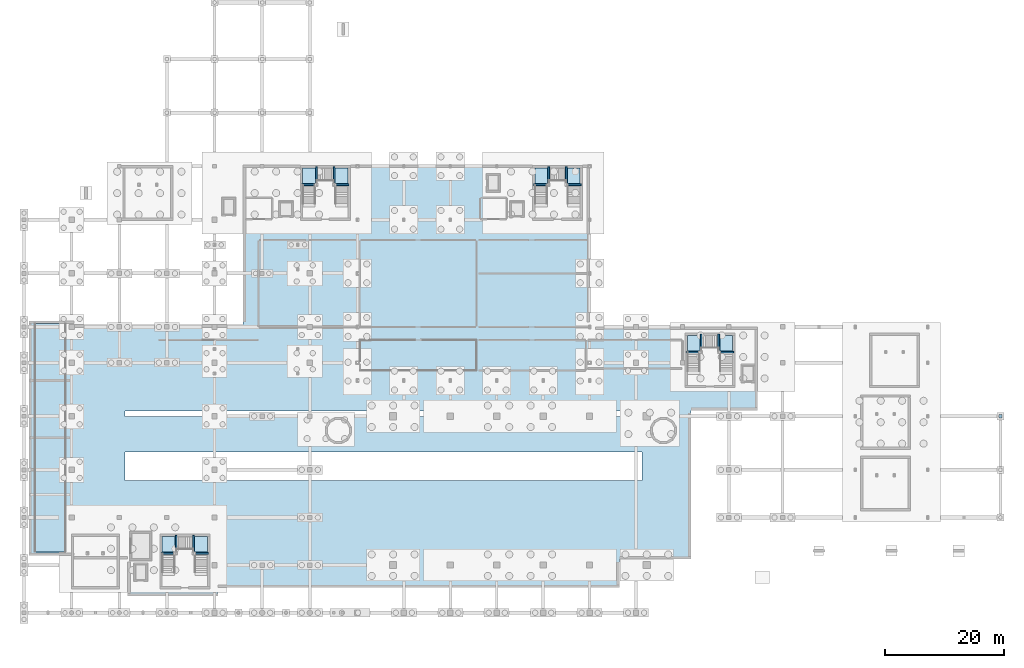
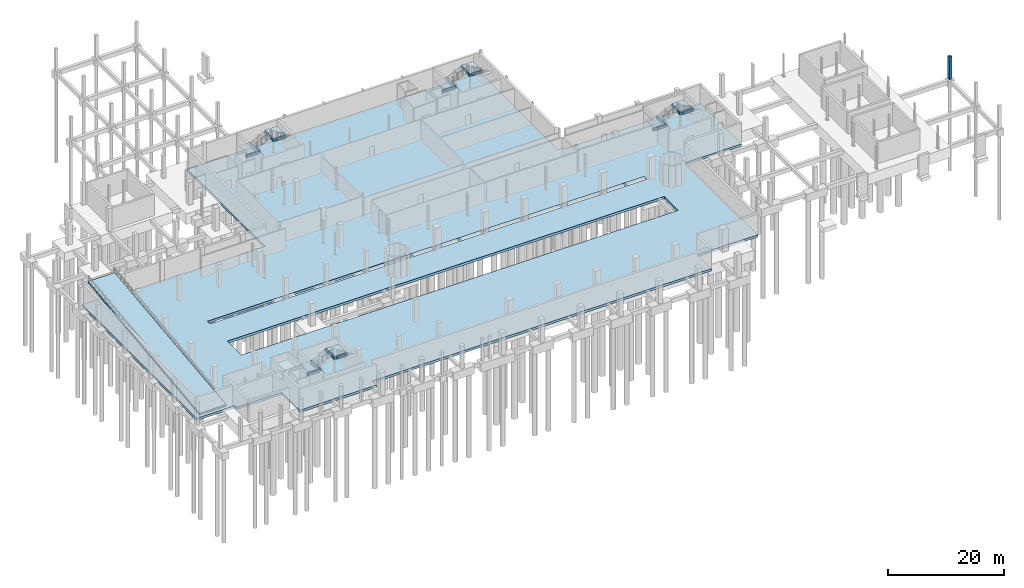
# One storey, part 22 of 32: 16 beams, 10 slabs, 1 column, 4 elements without a shape of their own.
"""IFC4 building model written with IfcOpenShell, lengths in metres."""

from ifc_helpers import new_model, si_unit, derived_unit, direction, frame, origin, origin_2d, place, context, subcontext, project, spatial, polyline, rectangle, outline, extrude, material, layer, layer_set, material_profile, profile_set, type_object, element, aggregate, save


model = new_model("IFC4")

# Units and contexts
model_context = context("Model", 3, precision=1e-05, world=origin(), true_north=direction((0.0, 1.0)))
body_context = subcontext(model_context, "Body", "Model", "MODEL_VIEW")
ifc_project = project(units=[si_unit("LENGTHUNIT", "METRE"), si_unit("AREAUNIT", "SQUARE_METRE"), si_unit("VOLUMEUNIT", "CUBIC_METRE"), si_unit("PLANEANGLEUNIT", "RADIAN"), si_unit("MASSUNIT", "GRAM", prefix="KILO"), derived_unit("THERMALTRANSMITTANCEUNIT", [(si_unit("POWERUNIT", "WATT"), 1), (si_unit("LENGTHUNIT", "METRE"), -2), (si_unit("THERMODYNAMICTEMPERATUREUNIT", "KELVIN"), -1)])], contexts=[model_context])

# Site, building, storey
site_placement = place(None, origin())
site = spatial("IfcSite", under=ifc_project, at=site_placement, CompositionType="ELEMENT")
building_placement = place(site_placement, origin())
building = spatial("IfcBuilding", under=site, at=building_placement, Name="Nallur Shell Playhouse", CompositionType="ELEMENT")
storey_placement = place(building_placement, frame((0.0, 0.0, -4.800048828125)))
storey = spatial("IfcBuildingStorey", under=building, at=storey_placement, Name="B1", CompositionType="ELEMENT", Elevation=-4.800048828125)

# Column
ifc_material = material(Name="Concrete M35", Category="concrete")
ifc_material_profile_1 = material_profile(ifc_material, rectangle(XDim=0.550048828125, YDim=0.550048828125, at=origin_2d()), Name="RC 550x550")
ifc_profile_set_1 = profile_set([ifc_material_profile_1], Name="Concrete M35")
column_type = type_object("IfcColumnType", Name="CL-RC-550", PredefinedType="COLUMN", material=ifc_profile_set_1)
column_placement = place(storey_placement, frame((172.0, 41.0, 0.0), z_axis=(0.0, 0.0, 1.0), x_axis=(1.0, 0.0, 0.0)))
element("IfcColumn", 1, at=column_placement, inside=storey, type_object=column_type, Name="Column 20-E (B1)", PredefinedType="COLUMN", context=body_context, shape_type="SweptSolid", body=[
    extrude(rectangle(XDim=0.550048828125, YDim=0.550048828125, at=origin_2d()), origin(), (0.0, 0.0, 1.0), 4.800048828125),
])

# Beams
ifc_material_profile_2 = material_profile(ifc_material, rectangle(XDim=0.300048828125, YDim=0.449951171875, at=origin_2d()), Name="RC 300x450")
ifc_profile_set_2 = profile_set([ifc_material_profile_2], Name="Concrete M35")
beam_type = type_object("IfcBeamType", Name="BM-SPN-300x450", PredefinedType="SPANDREL", material=ifc_profile_set_2)
beam_1_placement = place(storey_placement, frame((31.02001953125, 17.97998046875, 1.22509765625), z_axis=(1.0, 0.0, 0.0), x_axis=(0.0, 1.0, 0.0)))
element("IfcBeam", 2, at=beam_1_placement, inside=storey, type_object=beam_type, Name="Stair ST-01-B1 L1 south bearer beam", PredefinedType="SPANDREL", context=body_context, shape_type="SweptSolid", body=[
    extrude(rectangle(XDim=0.300048828125, YDim=0.449951171875, at=origin_2d()), origin(), (0.0, 0.0, 1.0), 2.56005859375),
])
beam_2_placement = place(storey_placement, frame((33.52001953125, 17.97998046875, 1.22509765625), z_axis=(0.0, 1.0, 0.0), x_axis=(-1.0, 0.0, 0.0)))
element("IfcBeam", 3, at=beam_2_placement, inside=storey, type_object=beam_type, Name="Stair ST-01-B1 L1 east bearer beam", PredefinedType="SPANDREL", context=body_context, shape_type="SweptSolid", body=[
    extrude(rectangle(XDim=0.300048828125, YDim=0.449951171875, at=origin_2d()), origin(), (0.0, 0.0, 1.0), 3.0),
])
beam_3_placement = place(storey_placement, frame((36.419921875, 17.97998046875, 2.72509765625), z_axis=(1.0, 0.0, 0.0), x_axis=(0.0, 1.0, 0.0)))
element("IfcBeam", 4, at=beam_3_placement, inside=storey, type_object=beam_type, Name="Stair ST-01-B1 L2 south bearer beam", PredefinedType="SPANDREL", context=body_context, shape_type="SweptSolid", body=[
    extrude(rectangle(XDim=0.300048828125, YDim=0.449951171875, at=origin_2d()), origin(), (0.0, 0.0, 1.0), 2.56005859375),
])
beam_4_placement = place(storey_placement, frame((36.47998046875, 17.97998046875, 2.72509765625), z_axis=(0.0, 1.0, 0.0), x_axis=(-1.0, 0.0, 0.0)))
element("IfcBeam", 5, at=beam_4_placement, inside=storey, type_object=beam_type, Name="Stair ST-01-B1 L2 west bearer beam", PredefinedType="SPANDREL", context=body_context, shape_type="SweptSolid", body=[
    extrude(rectangle(XDim=0.300048828125, YDim=0.449951171875, at=origin_2d()), origin(), (0.0, 0.0, 1.0), 3.0),
])
beam_5_placement = place(storey_placement, frame((119.219970703125, 51.780029296875, 1.22509765625), z_axis=(1.0, 0.0, 0.0), x_axis=(0.0, 1.0, 0.0)))
element("IfcBeam", 6, at=beam_5_placement, inside=storey, type_object=beam_type, Name="Stair ST-02-B1 L1 south bearer beam", PredefinedType="SPANDREL", context=body_context, shape_type="SweptSolid", body=[
    extrude(rectangle(XDim=0.300048828125, YDim=0.449951171875, at=origin_2d()), origin(), (0.0, 0.0, 1.0), 2.56005859375),
])
beam_6_placement = place(storey_placement, frame((121.719970703125, 51.780029296875, 1.22509765625), z_axis=(0.0, 1.0, 0.0), x_axis=(-1.0, 0.0, 0.0)))
element("IfcBeam", 7, at=beam_6_placement, inside=storey, type_object=beam_type, Name="Stair ST-02-B1 L1 east bearer beam", PredefinedType="SPANDREL", context=body_context, shape_type="SweptSolid", body=[
    extrude(rectangle(XDim=0.300048828125, YDim=0.449951171875, at=origin_2d()), origin(), (0.0, 0.0, 1.0), 3.0),
])
beam_7_placement = place(storey_placement, frame((124.6201171875, 51.780029296875, 2.72509765625), z_axis=(1.0, 0.0, 0.0), x_axis=(0.0, 1.0, 0.0)))
element("IfcBeam", 8, at=beam_7_placement, inside=storey, type_object=beam_type, Name="Stair ST-02-B1 L2 south bearer beam", PredefinedType="SPANDREL", context=body_context, shape_type="SweptSolid", body=[
    extrude(rectangle(XDim=0.300048828125, YDim=0.449951171875, at=origin_2d()), origin(), (0.0, 0.0, 1.0), 2.559814453125),
])
beam_8_placement = place(storey_placement, frame((124.679931640625, 51.780029296875, 2.72509765625), z_axis=(0.0, 1.0, 0.0), x_axis=(-1.0, 0.0, 0.0)))
element("IfcBeam", 9, at=beam_8_placement, inside=storey, type_object=beam_type, Name="Stair ST-02-B1 L2 west bearer beam", PredefinedType="SPANDREL", context=body_context, shape_type="SweptSolid", body=[
    extrude(rectangle(XDim=0.300048828125, YDim=0.449951171875, at=origin_2d()), origin(), (0.0, 0.0, 1.0), 3.0),
])
beam_9_placement = place(storey_placement, frame((54.6201171875, 79.8798828125, 1.22509765625), z_axis=(1.0, 0.0, 0.0), x_axis=(0.0, 1.0, 0.0)))
element("IfcBeam", 10, at=beam_9_placement, inside=storey, type_object=beam_type, Name="Stair ST-03-B1 L1 south bearer beam", PredefinedType="SPANDREL", context=body_context, shape_type="SweptSolid", body=[
    extrude(rectangle(XDim=0.300048828125, YDim=0.449951171875, at=origin_2d()), origin(), (0.0, 0.0, 1.0), 2.559814453125),
])
beam_10_placement = place(storey_placement, frame((57.1201171875, 79.8798828125, 1.22509765625), z_axis=(0.0, 1.0, 0.0), x_axis=(-1.0, 0.0, 0.0)))
element("IfcBeam", 11, at=beam_10_placement, inside=storey, type_object=beam_type, Name="Stair ST-03-B1 L1 east bearer beam", PredefinedType="SPANDREL", context=body_context, shape_type="SweptSolid", body=[
    extrude(rectangle(XDim=0.300048828125, YDim=0.449951171875, at=origin_2d()), origin(), (0.0, 0.0, 1.0), 3.0),
])
beam_11_placement = place(storey_placement, frame((60.02001953125, 79.8798828125, 2.72509765625), z_axis=(1.0, 0.0, 0.0), x_axis=(0.0, 1.0, 0.0)))
element("IfcBeam", 12, at=beam_11_placement, inside=storey, type_object=beam_type, Name="Stair ST-03-B1 L2 south bearer beam", PredefinedType="SPANDREL", context=body_context, shape_type="SweptSolid", body=[
    extrude(rectangle(XDim=0.300048828125, YDim=0.449951171875, at=origin_2d()), origin(), (0.0, 0.0, 1.0), 2.56005859375),
])
beam_12_placement = place(storey_placement, frame((60.080078125, 79.8798828125, 2.72509765625), z_axis=(0.0, 1.0, 0.0), x_axis=(-1.0, 0.0, 0.0)))
element("IfcBeam", 13, at=beam_12_placement, inside=storey, type_object=beam_type, Name="Stair ST-03-B1 L2 west bearer beam", PredefinedType="SPANDREL", context=body_context, shape_type="SweptSolid", body=[
    extrude(rectangle(XDim=0.300048828125, YDim=0.449951171875, at=origin_2d()), origin(), (0.0, 0.0, 1.0), 3.0),
])
beam_13_placement = place(storey_placement, frame((93.6201171875, 79.8798828125, 1.22509765625), z_axis=(1.0, 0.0, 0.0), x_axis=(0.0, 1.0, 0.0)))
element("IfcBeam", 14, at=beam_13_placement, inside=storey, type_object=beam_type, Name="Stair ST-04-B1 L1 south bearer beam", PredefinedType="SPANDREL", context=body_context, shape_type="SweptSolid", body=[
    extrude(rectangle(XDim=0.300048828125, YDim=0.449951171875, at=origin_2d()), origin(), (0.0, 0.0, 1.0), 2.559814453125),
])
beam_14_placement = place(storey_placement, frame((96.1201171875, 79.8798828125, 1.22509765625), z_axis=(0.0, 1.0, 0.0), x_axis=(-1.0, 0.0, 0.0)))
element("IfcBeam", 15, at=beam_14_placement, inside=storey, type_object=beam_type, Name="Stair ST-04-B1 L1 east bearer beam", PredefinedType="SPANDREL", context=body_context, shape_type="SweptSolid", body=[
    extrude(rectangle(XDim=0.300048828125, YDim=0.449951171875, at=origin_2d()), origin(), (0.0, 0.0, 1.0), 3.0),
])
beam_15_placement = place(storey_placement, frame((99.02001953125, 79.8798828125, 2.72509765625), z_axis=(1.0, 0.0, 0.0), x_axis=(0.0, 1.0, 0.0)))
element("IfcBeam", 16, at=beam_15_placement, inside=storey, type_object=beam_type, Name="Stair ST-04-B1 L2 south bearer beam", PredefinedType="SPANDREL", context=body_context, shape_type="SweptSolid", body=[
    extrude(rectangle(XDim=0.300048828125, YDim=0.449951171875, at=origin_2d()), origin(), (0.0, 0.0, 1.0), 2.56005859375),
])
beam_16_placement = place(storey_placement, frame((99.080078125, 79.8798828125, 2.72509765625), z_axis=(0.0, 1.0, 0.0), x_axis=(-1.0, 0.0, 0.0)))
element("IfcBeam", 17, at=beam_16_placement, inside=storey, type_object=beam_type, Name="Stair ST-04-B1 L2 west bearer beam", PredefinedType="SPANDREL", context=body_context, shape_type="SweptSolid", body=[
    extrude(rectangle(XDim=0.300048828125, YDim=0.449951171875, at=origin_2d()), origin(), (0.0, 0.0, 1.0), 3.0),
])

# Stair, slabs
stair_type = type_object("IfcStairType", Name="ST-CORE-48", PredefinedType="QUARTER_TURN_STAIR", material=ifc_material)
stair_1_placement = place(storey_placement, origin())
stair_1 = element("IfcStair", 18, at=stair_1_placement, inside=storey, type_object=stair_type, Name="Core JC-1 exit stair ST-01-B1 (B1 to L01)", PredefinedType="QUARTER_TURN_STAIR")
ifc_layer_1 = layer(ifc_material, 0.199951171875)
ifc_layer_set_1 = layer_set([ifc_layer_1], Name="Concrete M35")
slab_type_1 = type_object("IfcSlabType", Name="SL-LANDING-200", PredefinedType="LANDING", material=ifc_layer_set_1)
slab_1_placement = place(storey_placement, frame((0.0, 0.0, 1.449951171875)))
slab_1 = element("IfcSlab", 19, at=slab_1_placement, type_object=slab_type_1, Name="ST-48 landing 1", PredefinedType="LANDING", context=body_context, shape_type="SweptSolid", body=[
    extrude(outline(polyline([(31.199951171875, 17.89990234375), (33.60498046875, 17.89990234375), (33.60498046875, 20.800048828125), (31.199951171875, 20.800048828125), (31.199951171875, 17.89990234375)])), origin(), (0.0, 0.0, 1.0), 0.2001953125),
])
slab_2_placement = place(storey_placement, frame((0.0, 0.0, 2.949951171875)))
slab_2 = element("IfcSlab", 20, at=slab_2_placement, type_object=slab_type_1, Name="ST-48 landing 2", PredefinedType="LANDING", context=body_context, shape_type="SweptSolid", body=[
    extrude(outline(polyline([(36.39501953125, 17.89990234375), (38.800048828125, 17.89990234375), (38.800048828125, 20.800048828125), (36.39501953125, 20.800048828125), (36.39501953125, 17.89990234375)])), origin(), (0.0, 0.0, 1.0), 0.2001953125),
])
aggregate(stair_1, [slab_1, slab_2])

stair_2_placement = place(storey_placement, origin())
stair_2 = element("IfcStair", 21, at=stair_2_placement, inside=storey, type_object=stair_type, Name="Core JC-2 exit stair ST-02-B1 (B1 to L01)", PredefinedType="QUARTER_TURN_STAIR")
slab_3_placement = place(storey_placement, frame((0.0, 0.0, 1.449951171875)))
slab_3 = element("IfcSlab", 22, at=slab_3_placement, type_object=slab_type_1, Name="ST-48 landing 1", PredefinedType="LANDING", context=body_context, shape_type="SweptSolid", body=[
    extrude(outline(polyline([(119.39990234375, 51.699951171875), (121.804931640625, 51.699951171875), (121.804931640625, 54.60009765625), (119.39990234375, 54.60009765625), (119.39990234375, 51.699951171875)])), origin(), (0.0, 0.0, 1.0), 0.2001953125),
])
slab_4_placement = place(storey_placement, frame((0.0, 0.0, 2.949951171875)))
slab_4 = element("IfcSlab", 23, at=slab_4_placement, type_object=slab_type_1, Name="ST-48 landing 2", PredefinedType="LANDING", context=body_context, shape_type="SweptSolid", body=[
    extrude(outline(polyline([(124.594970703125, 51.699951171875), (127.0, 51.699951171875), (127.0, 54.60009765625), (124.594970703125, 54.60009765625), (124.594970703125, 51.699951171875)])), origin(), (0.0, 0.0, 1.0), 0.2001953125),
])
aggregate(stair_2, [slab_3, slab_4])

stair_3_placement = place(storey_placement, origin())
stair_3 = element("IfcStair", 24, at=stair_3_placement, inside=storey, type_object=stair_type, Name="Core JC-3 exit stair ST-03-B1 (B1 to L01)", PredefinedType="QUARTER_TURN_STAIR")
slab_5_placement = place(storey_placement, frame((0.0, 0.0, 1.449951171875)))
slab_5 = element("IfcSlab", 25, at=slab_5_placement, type_object=slab_type_1, Name="ST-48 landing 1", PredefinedType="LANDING", context=body_context, shape_type="SweptSolid", body=[
    extrude(outline(polyline([(54.800048828125, 79.800048828125), (57.205078125, 79.800048828125), (57.205078125, 82.699951171875), (54.800048828125, 82.699951171875), (54.800048828125, 79.800048828125)])), origin(), (0.0, 0.0, 1.0), 0.2001953125),
])
slab_6_placement = place(storey_placement, frame((0.0, 0.0, 2.949951171875)))
slab_6 = element("IfcSlab", 26, at=slab_6_placement, type_object=slab_type_1, Name="ST-48 landing 2", PredefinedType="LANDING", context=body_context, shape_type="SweptSolid", body=[
    extrude(outline(polyline([(59.9951171875, 79.800048828125), (62.39990234375, 79.800048828125), (62.39990234375, 82.699951171875), (59.9951171875, 82.699951171875), (59.9951171875, 79.800048828125)])), origin(), (0.0, 0.0, 1.0), 0.2001953125),
])
aggregate(stair_3, [slab_5, slab_6])

stair_4_placement = place(storey_placement, origin())
stair_4 = element("IfcStair", 27, at=stair_4_placement, inside=storey, type_object=stair_type, Name="Core JC-4 exit stair ST-04-B1 (B1 to L01)", PredefinedType="QUARTER_TURN_STAIR")
slab_7_placement = place(storey_placement, frame((0.0, 0.0, 1.449951171875)))
slab_7 = element("IfcSlab", 28, at=slab_7_placement, type_object=slab_type_1, Name="ST-48 landing 1", PredefinedType="LANDING", context=body_context, shape_type="SweptSolid", body=[
    extrude(outline(polyline([(93.800048828125, 79.800048828125), (96.205078125, 79.800048828125), (96.205078125, 82.699951171875), (93.800048828125, 82.699951171875), (93.800048828125, 79.800048828125)])), origin(), (0.0, 0.0, 1.0), 0.2001953125),
])
slab_8_placement = place(storey_placement, frame((0.0, 0.0, 2.949951171875)))
slab_8 = element("IfcSlab", 29, at=slab_8_placement, type_object=slab_type_1, Name="ST-48 landing 2", PredefinedType="LANDING", context=body_context, shape_type="SweptSolid", body=[
    extrude(outline(polyline([(98.9951171875, 79.800048828125), (101.39990234375, 79.800048828125), (101.39990234375, 82.699951171875), (98.9951171875, 82.699951171875), (98.9951171875, 79.800048828125)])), origin(), (0.0, 0.0, 1.0), 0.2001953125),
])
aggregate(stair_4, [slab_7, slab_8])

# Slabs
ifc_layer_2 = layer(ifc_material, 0.5)
ifc_layer_set_2 = layer_set([ifc_layer_2], Name="Concrete M35")
slab_type_2 = type_object("IfcSlabType", Name="SL-RAFT-500", PredefinedType="BASESLAB", material=ifc_layer_set_2)
slab_9_placement = place(storey_placement, frame((0.0, 0.0, -0.5)))
element("IfcSlab", 30, at=slab_9_placement, inside=storey, type_object=slab_type_2, Name="Basement B1 waterproofed raft base slab 1", PredefinedType="BASESLAB", context=body_context, shape_type="SweptSolid", body=[
    extrude(outline(polyline([(16.39990234375, 17.0), (16.39990234375, 17.60009765625), (8.800048828125, 17.60009765625), (8.800048828125, 57.0), (16.39990234375, 57.0), (16.39990234375, 56.39990234375), (44.800048828125, 56.39990234375), (44.800048828125, 83.199951171875), (103.0, 83.199951171875), (103.0, 56.39990234375), (104.0, 56.39990234375), (104.0, 56.0), (131.199951171875, 56.0), (131.199951171875, 42.0), (120.0, 42.0), (120.0, 17.0), (108.0, 17.0), (108.0, 12.199951171875), (40.60009765625, 12.199951171875), (40.60009765625, 10.800048828125), (25.39990234375, 10.800048828125), (25.39990234375, 17.0), (16.39990234375, 17.0)]), holes=[polyline([(111.800048828125, 30.199951171875), (111.800048828125, 35.0), (25.0, 35.0), (25.0, 30.199951171875), (111.800048828125, 30.199951171875)]), polyline([(111.800048828125, 41.0), (111.800048828125, 41.89990234375), (25.0, 41.89990234375), (25.0, 41.0), (111.800048828125, 41.0)])]), origin(), (0.0, 0.0, 1.0), 0.5),
])
ifc_layer_3 = layer(ifc_material, 0.35009765625)
ifc_layer_set_3 = layer_set([ifc_layer_3], Name="Concrete M35")
slab_type_3 = type_object("IfcSlabType", Name="SL-VRAMP-350", PredefinedType="FLOOR", material=ifc_layer_set_3)
slab_10_placement = place(storey_placement, frame((9.75, 18.199951171875, 0.35009765625), z_axis=(0.0, -0.11511335022, 0.99335236276), x_axis=(1.0, 0.0, 0.0)))
element("IfcSlab", 31, at=slab_10_placement, inside=storey, type_object=slab_type_3, Name="Basement B1 two-way 1:8 vehicular ramp structural slab (Concrete M35, 350 mm)", PredefinedType="FLOOR", context=body_context, shape_type="SweptSolid", body=[
    extrude(outline(polyline([(0.0, 0.0), (5.300048828125, 0.0), (5.300048828125, 38.65712502829885), (0.0, 38.65712502829885), (0.0, 0.0)])), origin(), (0.0, 0.0, -1.0), 0.35009765625),
])

save(model, "model.ifc")
